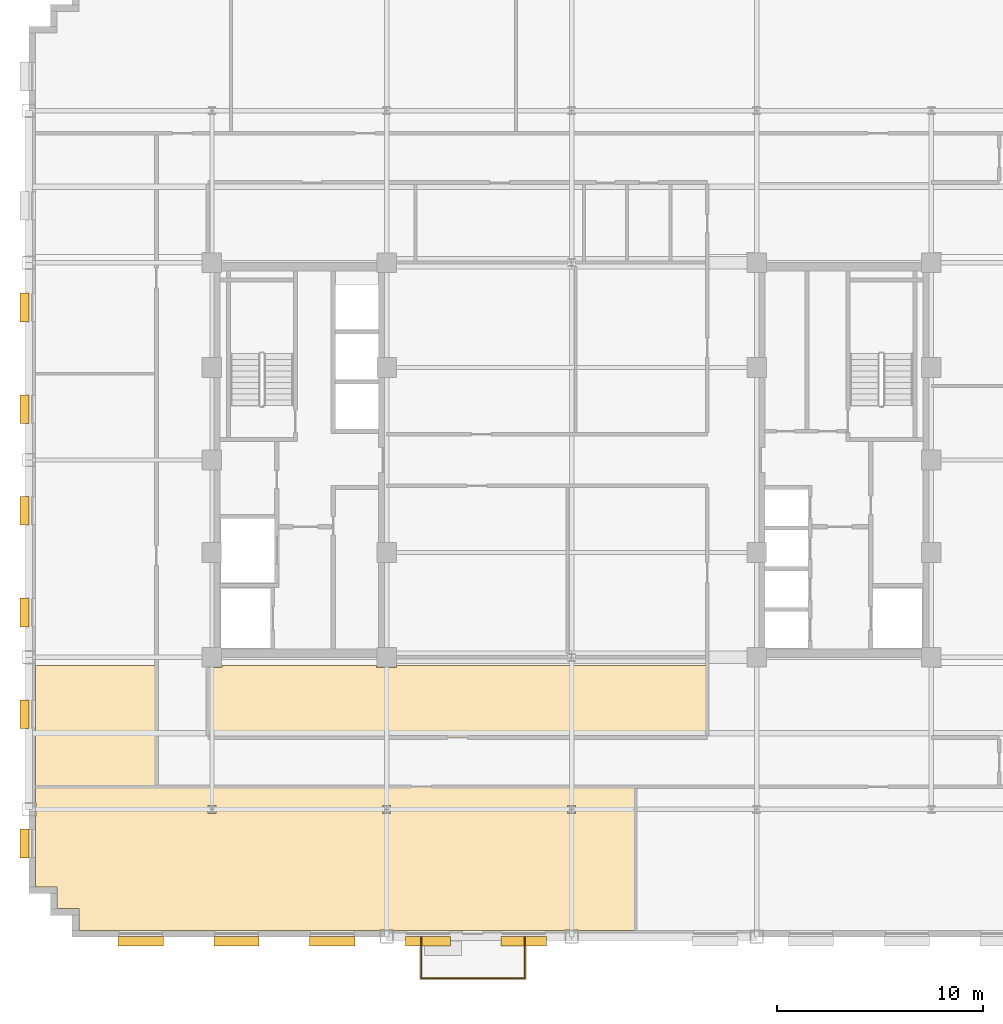
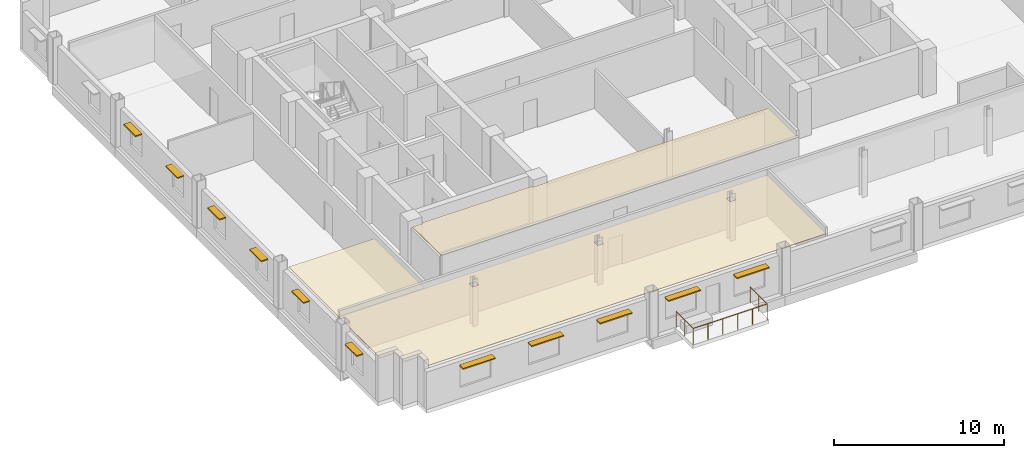
# One storey, part 11 of 14: 11 shading devices, 3 coverings, 1 railing.
"""IFC4 building model written with IfcOpenShell, lengths in metres."""

from ifc_helpers import new_model, si_unit, direction, frame, origin, origin_2d, place, context, subcontext, project, spatial, polyline, rectangle, circle, outline, extrude, source, transform, mapped, material, layer, layer_set, type_object, type_shapes, element, save


model = new_model("IFC4")

# Units and contexts
model_context = context("Model", 3, precision=1e-05, world=origin(), true_north=direction((0.0, 1.0)))
body_context = subcontext(model_context, "Body", "Model", "MODEL_VIEW")
ifc_project = project(units=[si_unit("LENGTHUNIT", "METRE"), si_unit("AREAUNIT", "SQUARE_METRE"), si_unit("VOLUMEUNIT", "CUBIC_METRE"), si_unit("PLANEANGLEUNIT", "RADIAN"), si_unit("MASSUNIT", "GRAM", prefix="KILO")], contexts=[model_context])

# Site, building, storey
site_placement = place(None, origin())
site = spatial("IfcSite", under=ifc_project, at=site_placement, CompositionType="ELEMENT")
building_placement = place(site_placement, origin())
building = spatial("IfcBuilding", under=site, at=building_placement, Name="Nuvemarco Arch Tower", CompositionType="ELEMENT")
storey_placement = place(building_placement, frame((0.0, 0.0, 142.10009765625)))
storey = spatial("IfcBuildingStorey", under=building, at=storey_placement, Name="L37", CompositionType="ELEMENT", Elevation=142.10009765625)

# Coverings
ifc_material_1 = material(Name="Mineral acoustic ceiling tile")
ifc_layer = layer(ifc_material_1, 0.0400390625, Name="COV-ACOUSTIC-CLG")
ifc_layer_set = layer_set([ifc_layer], Name="Mineral acoustic ceiling tile")
covering_type = type_object("IfcCoveringType", Name="COV-ACOUSTIC-CLG", PredefinedType="CEILING", material=ifc_layer_set)
covering_1_placement = place(storey_placement, frame((0.0, 0.0, 2.849853515625)))
element("IfcCovering", 1, at=covering_1_placement, inside=storey, type_object=covering_type, Name="L37 suspended acoustic ceiling 1", PredefinedType="CEILING", context=body_context, shape_type="SweptSolid", body=[
    extrude(outline(polyline([(-26.080078125, -20.780029296875), (-26.080078125, -17.340087890625), (-26.06005859375, -17.340087890625), (-26.06005859375, -16.659912109375), (-26.080078125, -16.659912109375), (-26.080078125, -15.89990234375), (-20.199951171875, -15.89990234375), (-17.699951171875, -15.89990234375), (3.10009765625, -15.89990234375), (3.10009765625, -22.8798828125), (0.340087890625, -22.8798828125), (0.340087890625, -22.860107421875), (-0.340087890625, -22.860107421875), (-0.340087890625, -22.8798828125), (-8.659912109375, -22.8798828125), (-8.659912109375, -22.860107421875), (-9.340087890625, -22.860107421875), (-9.340087890625, -22.8798828125), (-23.97998046875, -22.8798828125), (-23.97998046875, -21.830078125), (-25.030029296875, -21.830078125), (-25.030029296875, -20.780029296875), (-26.080078125, -20.780029296875)]), holes=[polyline([(-17.304931640625, -16.804931640625), (-17.695068359375, -16.804931640625), (-17.695068359375, -17.195068359375), (-17.304931640625, -17.195068359375), (-17.304931640625, -16.804931640625)]), polyline([(-8.804931640625, -17.195068359375), (-8.804931640625, -16.804931640625), (-9.195068359375, -16.804931640625), (-9.195068359375, -17.195068359375), (-8.804931640625, -17.195068359375)]), polyline([(0.195068359375, -17.195068359375), (0.195068359375, -16.804931640625), (-0.195068359375, -16.804931640625), (-0.195068359375, -17.195068359375), (0.195068359375, -17.195068359375)])]), origin(), (0.0, 0.0, 1.0), 0.0400390625),
])
covering_2_placement = place(storey_placement, frame((0.0, 0.0, 2.849853515625)))
element("IfcCovering", 2, at=covering_2_placement, inside=storey, type_object=covering_type, Name="L37 suspended acoustic ceiling 5", PredefinedType="CEILING", context=body_context, shape_type="SweptSolid", body=[
    extrude(outline(polyline([(-20.199951171875, -13.5), (-20.199951171875, -15.89990234375), (-26.080078125, -15.89990234375), (-26.080078125, -10.0), (-20.199951171875, -10.0), (-20.199951171875, -13.5)])), origin(), (0.0, 0.0, 1.0), 0.0400390625),
])
covering_3_placement = place(storey_placement, frame((0.0, 0.0, 2.849853515625)))
element("IfcCovering", 3, at=covering_3_placement, inside=storey, type_object=covering_type, Name="L37 suspended acoustic ceiling 8", PredefinedType="CEILING", context=body_context, shape_type="SweptSolid", body=[
    extrude(outline(polyline([(-9.489990234375, -10.090087890625), (-8.510009765625, -10.090087890625), (-8.510009765625, -10.0), (6.60009765625, -10.0), (6.60009765625, -13.5), (-17.699951171875, -13.5), (-17.699951171875, -10.090087890625), (-17.010009765625, -10.090087890625), (-17.010009765625, -10.0), (-9.489990234375, -10.0), (-9.489990234375, -10.090087890625)])), origin(), (0.0, 0.0, 1.0), 0.0400390625),
])

# Railing
ifc_material_2 = material(Name="Dark anodised balustrade steel S355", Category="steel")
railing_type = type_object("IfcRailingType", Name="RL-TERR-GUARD", PredefinedType="BALUSTRADE", material=ifc_material_2)
railing_placement = place(storey_placement, frame((-7.320068359375, -23.199951171875, 0.0)))
element("IfcRailing", 4, at=railing_placement, inside=storey, type_object=railing_type, Name="L37 tree balcony perimeter balustrade guard", PredefinedType="BALUSTRADE", context=body_context, shape_type="SweptSolid", body=[
    extrude(circle(Radius=0.02392578125, at=origin_2d()), frame((0.0, 0.0, 1.1259765625), z_axis=(0.0, -1.0, 0.0), x_axis=(1.0, 0.0, 0.0)), (0.0, 0.0, 1.0), 2.02001953125),
    extrude(circle(Radius=0.02392578125, at=origin_2d()), frame((0.0, -2.02001953125, 1.1259765625), z_axis=(1.0, 0.0, 0.0), x_axis=(0.0, 1.0, 0.0)), (0.0, 0.0, 1.0), 5.0400390625),
    extrude(circle(Radius=0.02392578125, at=origin_2d()), frame((5.0400390625, -2.02001953125, 1.1259765625), z_axis=(0.0, 1.0, 0.0), x_axis=(-1.0, 0.0, 0.0)), (0.0, 0.0, 1.0), 2.02001953125),
    extrude(circle(Radius=0.02099609375, at=origin_2d()), origin(), (0.0, 0.0, 1.0), 1.101806640625),
    extrude(circle(Radius=0.02099609375, at=origin_2d()), frame((0.0, -1.010009765625, 0.0)), (0.0, 0.0, 1.0), 1.101806640625),
    extrude(circle(Radius=0.02099609375, at=origin_2d()), frame((0.0, -2.02001953125, 0.0)), (0.0, 0.0, 1.0), 1.101806640625),
    extrude(circle(Radius=0.02099609375, at=origin_2d()), frame((1.008056640625, -2.02001953125, 0.0)), (0.0, 0.0, 1.0), 1.101806640625),
    extrude(circle(Radius=0.02099609375, at=origin_2d()), frame((2.01611328125, -2.02001953125, 0.0)), (0.0, 0.0, 1.0), 1.101806640625),
    extrude(circle(Radius=0.02099609375, at=origin_2d()), frame((3.02392578125, -2.02001953125, 0.0)), (0.0, 0.0, 1.0), 1.101806640625),
    extrude(circle(Radius=0.02099609375, at=origin_2d()), frame((4.031982421875, -2.02001953125, 0.0)), (0.0, 0.0, 1.0), 1.101806640625),
    extrude(circle(Radius=0.02099609375, at=origin_2d()), frame((5.0400390625, -2.02001953125, 0.0)), (0.0, 0.0, 1.0), 1.101806640625),
    extrude(circle(Radius=0.02099609375, at=origin_2d()), frame((5.0400390625, -1.010009765625, 0.0)), (0.0, 0.0, 1.0), 1.101806640625),
    extrude(circle(Radius=0.02099609375, at=origin_2d()), frame((5.0400390625, 0.0, 0.0)), (0.0, 0.0, 1.0), 1.101806640625),
])

# Shading devices
ifc_material_3 = material(Name="Anodised aluminium 6063-T6", Category="aluminium")
shading_device_type_1 = type_object("IfcShadingDeviceType", Name="SHD-BRISE-SOLEIL", PredefinedType="USERDEFINED", material=ifc_material_3)
shared_shape_1 = source(origin(), body_context, "Body", "SweptSolid", [
    extrude(rectangle(XDim=2.199951171875, YDim=0.449951171875, at=origin_2d()), origin(), (0.0, 0.0, 1.0), 0.080078125),
])
type_shapes(shading_device_type_1, [shared_shape_1])
for number, where, z_axis, x_axis, name in (
    (5, (-20.969970703125, -23.4150390625, 2.36474609375), (0.0, 0.0, 1.0), (1.0, 0.0, 0.0), "L37 horizontal brise-soleil sunshade"),
    (6, (-16.31005859375, -23.4150390625, 2.36474609375), (0.0, 0.0, 1.0), (1.0, 0.0, 0.0), "L37 horizontal brise-soleil sunshade"),
    (7, (-11.64990234375, -23.4150390625, 2.36474609375), (0.0, 0.0, 1.0), (1.0, 0.0, 0.0), "L37 horizontal brise-soleil sunshade"),
    (8, (-6.989990234375, -23.4150390625, 2.36474609375), (0.0, 0.0, 1.0), (1.0, 0.0, 0.0), "L37 horizontal brise-soleil sunshade"),
    (9, (-2.330078125, -23.4150390625, 2.36474609375), (0.0, 0.0, 1.0), (1.0, 0.0, 0.0), "L37 horizontal brise-soleil sunshade"),
):
    element("IfcShadingDevice", number, at=place(storey_placement, frame(where, z_axis=z_axis, x_axis=x_axis)), inside=storey, type_object=shading_device_type_1, Name=name, ObjectType="SUNSHADE", PredefinedType="USERDEFINED", context=body_context, shape_type="MappedRepresentation", body=[
        mapped(shared_shape_1, transform((0.0, 0.0, 0.0), scale=1.0)),
    ])
shading_device_type_2 = type_object("IfcShadingDeviceType", Name="SHD-BRISE-NARROW", PredefinedType="USERDEFINED", material=ifc_material_3)
shared_shape_2 = source(origin(), body_context, "Body", "SweptSolid", [
    extrude(rectangle(XDim=1.39990234375, YDim=0.449951171875, at=origin_2d()), origin(), (0.0, 0.0, 1.0), 0.080078125),
])
type_shapes(shading_device_type_2, [shared_shape_2])
for number, where, z_axis, x_axis, name in (
    (10, (-26.614990234375, -18.660888671875, 2.36474609375), (0.0, 0.0, 1.0), (0.0, 1.0, 0.0), "L37 horizontal brise-soleil sunshade"),
    (11, (-26.614990234375, -12.364990234375, 2.36474609375), (0.0, 0.0, 1.0), (0.0, 1.0, 0.0), "L37 horizontal brise-soleil sunshade"),
    (12, (-26.614990234375, -7.4189453125, 2.36474609375), (0.0, 0.0, 1.0), (0.0, 1.0, 0.0), "L37 horizontal brise-soleil sunshade"),
    (13, (-26.614990234375, -2.472900390625, 2.36474609375), (0.0, 0.0, 1.0), (0.0, 1.0, 0.0), "L37 horizontal brise-soleil sunshade"),
    (14, (-26.614990234375, 2.472900390625, 2.36474609375), (0.0, 0.0, 1.0), (0.0, 1.0, 0.0), "L37 horizontal brise-soleil sunshade"),
    (15, (-26.614990234375, 7.4189453125, 2.36474609375), (0.0, 0.0, 1.0), (0.0, 1.0, 0.0), "L37 horizontal brise-soleil sunshade"),
):
    element("IfcShadingDevice", number, at=place(storey_placement, frame(where, z_axis=z_axis, x_axis=x_axis)), inside=storey, type_object=shading_device_type_2, Name=name, ObjectType="SUNSHADE", PredefinedType="USERDEFINED", context=body_context, shape_type="MappedRepresentation", body=[
        mapped(shared_shape_2, transform((0.0, 0.0, 0.0), scale=1.0)),
    ])

save(model, "model.ifc")
